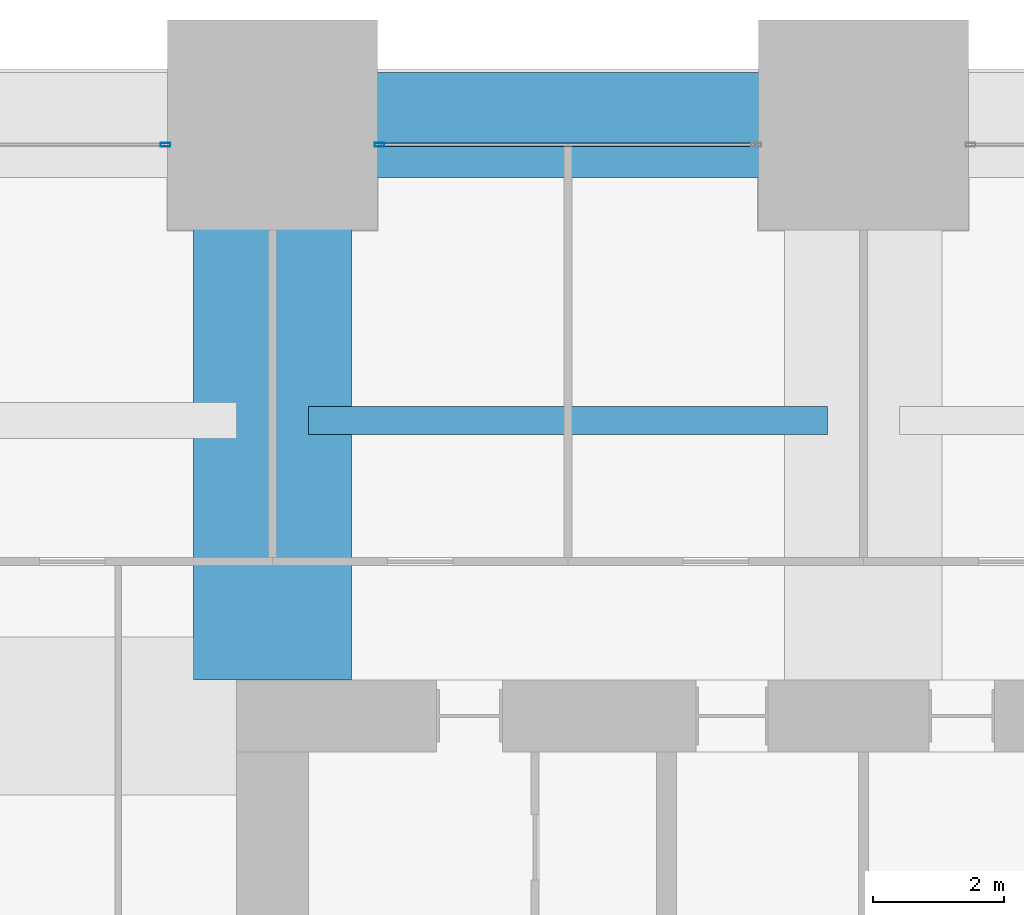
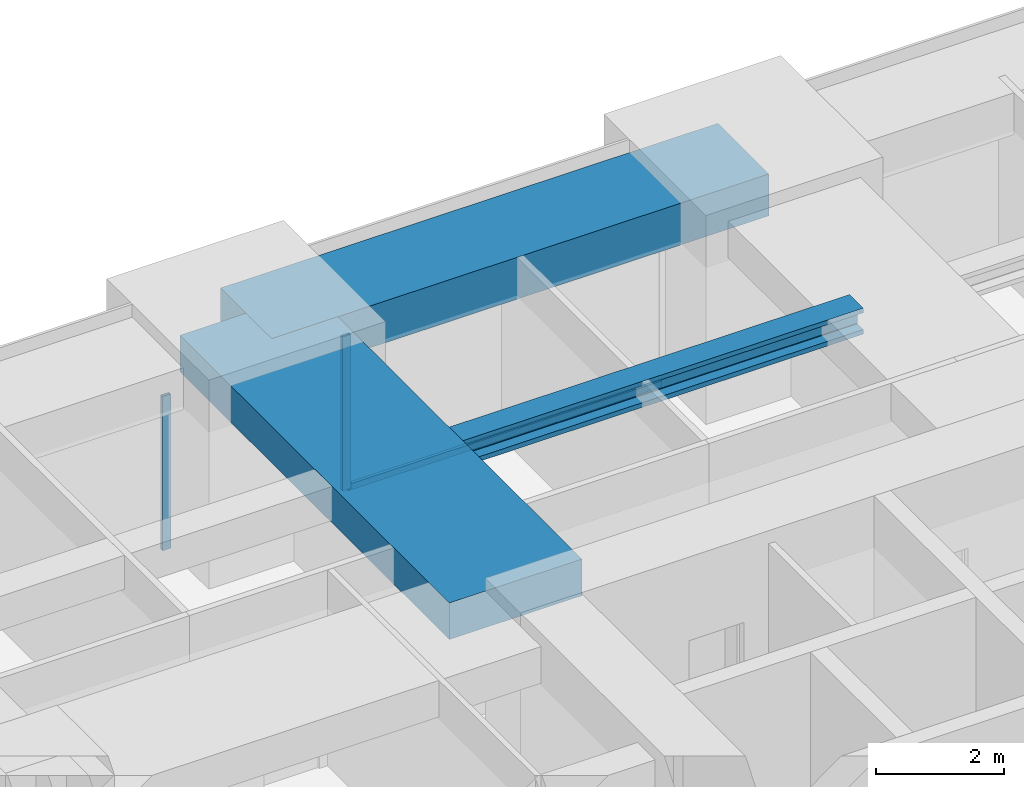
# One storey, part 24 of 36: 3 beams, 3 members, 2 elements without a shape of their own.
"""IFC4 building model written with IfcOpenShell, lengths in metres."""

from ifc_helpers import new_model, si_unit, direction, frame, origin, origin_2d, place, context, subcontext, project, spatial, rectangle, hollow_rectangle, i_section, extrude, material, material_profile, profile_set, type_object, element, aggregate, save


model = new_model("IFC4")

# Units and contexts
model_context = context("Model", 3, precision=1e-05, world=origin(), true_north=direction((0.0, 1.0)))
body_context = subcontext(model_context, "Body", "Model", "MODEL_VIEW")
ifc_project = project(units=[si_unit("LENGTHUNIT", "METRE"), si_unit("AREAUNIT", "SQUARE_METRE"), si_unit("VOLUMEUNIT", "CUBIC_METRE"), si_unit("PLANEANGLEUNIT", "RADIAN"), si_unit("MASSUNIT", "GRAM", prefix="KILO")], contexts=[model_context])

# Site, building, storey
site_placement = place(None, origin())
site = spatial("IfcSite", under=ifc_project, at=site_placement, CompositionType="ELEMENT")
building_placement = place(site_placement, origin())
building = spatial("IfcBuilding", under=site, at=building_placement, Name="Zorevar Civic Tower", CompositionType="ELEMENT")
storey_placement = place(building_placement, frame((0.0, 0.0, 166.199951171875)))
storey = spatial("IfcBuildingStorey", under=building, at=storey_placement, Name="L40", CompositionType="ELEMENT", Elevation=166.199951171875)

# Beam
ifc_material_1 = material(Name="Concrete C50/60", Category="concrete")
ifc_material_profile_1 = material_profile(ifc_material_1, rectangle(XDim=2.39990234375, YDim=0.699951171875, at=origin_2d()), Name="RC 2400x700")
ifc_profile_set_1 = profile_set([ifc_material_profile_1], Name="Concrete C50/60")
beam_type_1 = type_object("IfcBeamType", Name="Beam RC 2400x700", PredefinedType="BEAM", material=ifc_profile_set_1)
beam_1_placement = place(storey_placement, frame((18.0, 36.550048828125, 3.400146484375), z_axis=(0.0, 1.0, 0.0), x_axis=(-1.0, 0.0, 0.0)))
element("IfcBeam", 1, at=beam_1_placement, inside=storey, type_object=beam_type_1, Name="Girder L41", PredefinedType="BEAM", context=body_context, shape_type="SweptSolid", body=[
    extrude(rectangle(XDim=2.39990234375, YDim=0.699951171875, at=origin_2d()), origin(), (0.0, 0.0, 1.0), 8.449951171875),
])

# Curtain wall, member
ifc_material_2 = material(Name="Dark grey solar-control glass in black aluminium frame", Category="aluminium")
curtain_wall_type = type_object("IfcCurtainWallType", Name="Curtain wall CW4 high zone", PredefinedType="NOTDEFINED", material=ifc_material_2)
curtain_wall_1_placement = place(storey_placement, origin())
curtain_wall_1 = element("IfcCurtainWall", 2, at=curtain_wall_1_placement, inside=storey, type_object=curtain_wall_type, Name="CW4 L40", PredefinedType="NOTDEFINED")
ifc_material_3 = material(Name="Aluminium, black anodised", Category="aluminium")
ifc_material_profile_2 = material_profile(ifc_material_3, hollow_rectangle(XDim=0.06005859375, YDim=0.14990234375, WallThickness=0.00390625, at=origin_2d()), Name="AL 150x60x4")
ifc_profile_set_2 = profile_set([ifc_material_profile_2], Name="Aluminium, black anodised")
member_type_1 = type_object("IfcMemberType", Name="CW4 mullion AL 150x60x4", PredefinedType="MULLION", material=ifc_profile_set_2)
member_1_placement = place(storey_placement, frame((16.3701171875, 44.699951171875, 0.0), z_axis=(0.0, 0.0, 1.0), x_axis=(0.0, 1.0, 0.0)))
member_1 = element("IfcMember", 3, at=member_1_placement, type_object=member_type_1, Name="CW4 mullion 3", PredefinedType="MULLION", context=body_context, shape_type="SweptSolid", body=[
    extrude(hollow_rectangle(XDim=0.06005859375, YDim=0.14990234375, WallThickness=0.00390625, at=origin_2d()), origin(), (0.0, 0.0, 1.0), 2.949951171875),
])
aggregate(curtain_wall_1, [member_1])

# Curtain wall, members
curtain_wall_2_placement = place(storey_placement, origin())
curtain_wall_2 = element("IfcCurtainWall", 4, at=curtain_wall_2_placement, inside=storey, type_object=curtain_wall_type, Name="CW4 L40", PredefinedType="NOTDEFINED")
member_2_placement = place(storey_placement, frame((19.6298828125, 44.699951171875, 0.0), z_axis=(0.0, 0.0, 1.0), x_axis=(0.0, 1.0, 0.0)))
member_2 = element("IfcMember", 5, at=member_2_placement, type_object=member_type_1, Name="CW4 mullion 1", PredefinedType="MULLION", context=body_context, shape_type="SweptSolid", body=[
    extrude(hollow_rectangle(XDim=0.06005859375, YDim=0.14990234375, WallThickness=0.00390625, at=origin_2d()), origin(), (0.0, 0.0, 1.0), 2.949951171875),
])
ifc_material_4 = material(Name="Aluminium, black anodised", Category="aluminium")
ifc_material_profile_3 = material_profile(ifc_material_4, hollow_rectangle(XDim=0.06005859375, YDim=0.1201171875, WallThickness=0.0029296875, at=origin_2d()), Name="AL 120x60x3")
ifc_profile_set_3 = profile_set([ifc_material_profile_3], Name="Aluminium, black anodised")
member_type_2 = type_object("IfcMemberType", Name="CW4 transom AL 120x60x3", PredefinedType="USERDEFINED", material=ifc_profile_set_3)
member_3_placement = place(storey_placement, frame((19.659912109375, 44.699951171875, 0.030029296875), z_axis=(1.0, 0.0, 0.0), x_axis=(0.0, 1.0, 0.0)))
member_3 = element("IfcMember", 6, at=member_3_placement, type_object=member_type_2, Name="CW4 sill transom", ObjectType="TRANSOM", PredefinedType="USERDEFINED", context=body_context, shape_type="SweptSolid", body=[
    extrude(hollow_rectangle(XDim=0.06005859375, YDim=0.1201171875, WallThickness=0.0029296875, at=origin_2d()), origin(), (0.0, 0.0, 1.0), 5.68017578125),
])
aggregate(curtain_wall_2, [member_2, member_3])

# Beams
ifc_material_5 = material(Name="Steel S460M (HISTAR 460)", Category="steel")
ifc_material_profile_4 = material_profile(ifc_material_5, i_section(OverallWidth=0.431884765625, OverallDepth=0.498046875, WebThickness=0.0556640625, FlangeThickness=0.0888671875, FilletRadius=0.014892578125, at=origin_2d()), Name="HD 400x744")
ifc_profile_set_4 = profile_set([ifc_material_profile_4], Name="Steel S460M (HISTAR 460)")
beam_type_2 = type_object("IfcBeamType", Name="Core bay beam HD 400x744", PredefinedType="BEAM", material=ifc_profile_set_4)
beam_2_placement = place(storey_placement, frame((18.550048828125, 40.5, 3.5009765625), z_axis=(1.0, 0.0, 0.0), x_axis=(0.0, 1.0, 0.0)))
element("IfcBeam", 7, at=beam_2_placement, inside=storey, type_object=beam_type_2, Name="Secondary beam L41", PredefinedType="BEAM", context=body_context, shape_type="SweptSolid", body=[
    extrude(i_section(OverallWidth=0.431884765625, OverallDepth=0.498046875, WebThickness=0.0556640625, FlangeThickness=0.0888671875, FilletRadius=0.014892578125, at=origin_2d()), origin(), (0.0, 0.0, 1.0), 7.89990234375),
])
ifc_material_6 = material(Name="Concrete C50/60", Category="concrete")
ifc_material_profile_5 = material_profile(ifc_material_6, rectangle(XDim=1.60009765625, YDim=0.800048828125, at=origin_2d()), Name="RC 1600x800")
ifc_profile_set_5 = profile_set([ifc_material_profile_5], Name="Concrete C50/60")
beam_type_3 = type_object("IfcBeamType", Name="Edge beam RC 1600x800", PredefinedType="SPANDREL", material=ifc_profile_set_5)
beam_3_placement = place(storey_placement, frame((18.0, 45.0, 3.35009765625), z_axis=(1.0, 0.0, 0.0), x_axis=(0.0, 1.0, 0.0)))
element("IfcBeam", 8, at=beam_3_placement, inside=storey, type_object=beam_type_3, Name="Edge beam L41", PredefinedType="SPANDREL", context=body_context, shape_type="SweptSolid", body=[
    extrude(rectangle(XDim=1.60009765625, YDim=0.800048828125, at=origin_2d()), origin(), (0.0, 0.0, 1.0), 9.0),
])

save(model, "model.ifc")
